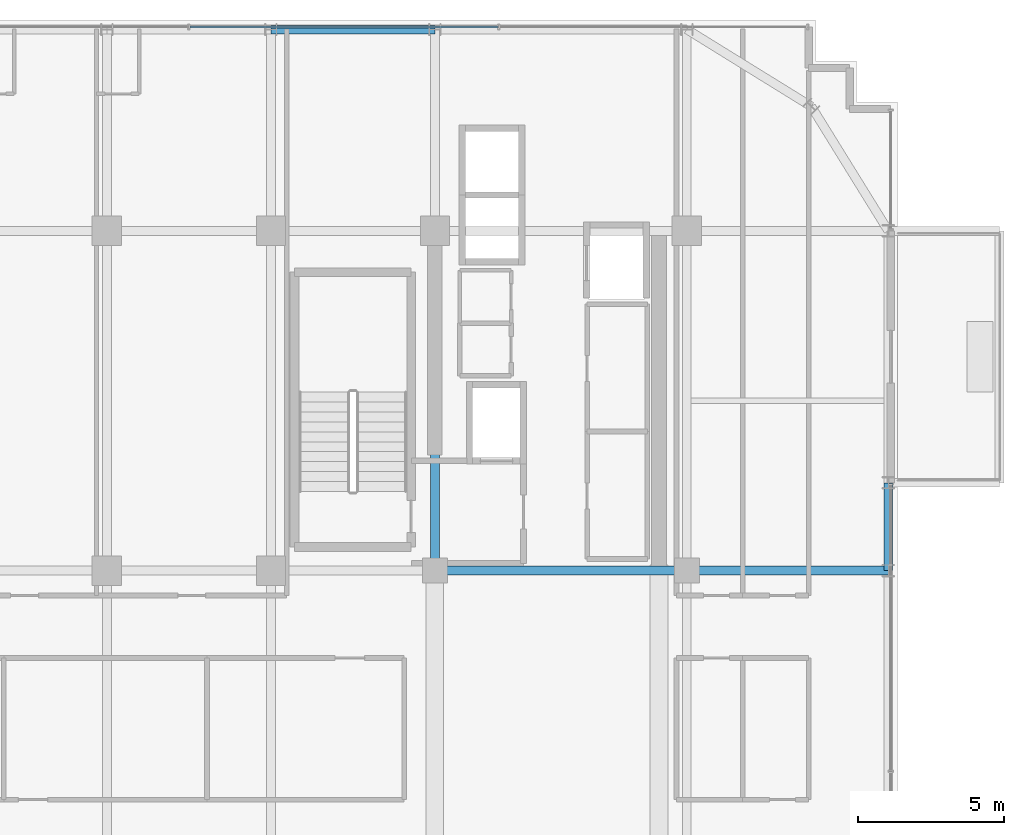
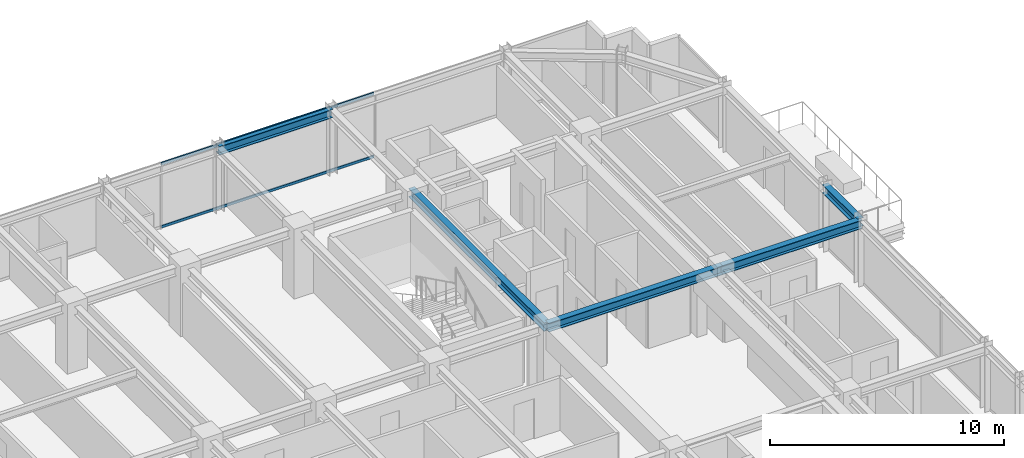
# One storey, part 22 of 34: 5 beams, 2 members, 1 element without a shape of its own.
"""IFC4 building model written with IfcOpenShell, lengths in metres."""

import ifcopenshell
import ifcopenshell.guid

model = None  # the IFC model being written
_history = None  # IfcOwnerHistory: only IFC2X3 demands one
_inside = {}  # id of a spatial element -> (the spatial element, [elements in it])
_under = {}  # id of a project, library or spatial element -> (it, [spatial elements below it])
_declared = {}  # id of a project -> (the project, [libraries it declares])
_typed = {}  # id of a type object -> (the type object, [elements of that type])
_made_of = {}  # id of a material, layer set ... -> (it, [elements and type objects made of it])


def new_model(schema):
    """Start an empty IFC model of exactly this schema.

    Asked for "IFC4X3", IfcOpenShell would pick the latest addendum, in which some entities
    have other attributes; the version numbers below select the first issue.
    IFC2X3 requires an IfcOwnerHistory on every rooted entity: one is made here for all.
    """
    global model, _history
    if schema == "IFC4X3":
        model = ifcopenshell.file(schema_version=(4, 3, 0, 0))
    else:
        model = ifcopenshell.file(schema=schema)
    _inside.clear()
    _under.clear()
    _declared.clear()
    _typed.clear()
    _made_of.clear()
    _history = None
    if model.schema == "IFC2X3":
        org = make("IfcOrganization", Name="unknown")
        user = make(
            "IfcPersonAndOrganization",
            ThePerson=make("IfcPerson", FamilyName="unknown"),
            TheOrganization=org,
        )
        app = make(
            "IfcApplication",
            ApplicationDeveloper=org,
            Version="unknown",
            ApplicationFullName="unknown",
            ApplicationIdentifier="unknown",
        )
        _history = make(
            "IfcOwnerHistory",
            OwningUser=user,
            OwningApplication=app,
            ChangeAction="ADDED",
            CreationDate=0,
        )
    return model


def make(cls, **values):
    """One entity of the class cls with the attributes given. An attribute that is None is left unset."""
    return model.create_entity(
        cls, **{name: value for name, value in values.items() if value is not None}
    )


def rooted(cls, **values):
    """An entity with a GlobalId (a new one), such as an element, a storey or a relation."""
    return make(cls, GlobalId=ifcopenshell.guid.new(), OwnerHistory=_history, **values)


def si_unit(unit_type, name, prefix=None):
    """IfcSIUnit, for example si_unit("LENGTHUNIT", "METRE", prefix="MILLI")."""
    return make("IfcSIUnit", UnitType=unit_type, Prefix=prefix, Name=name)


def assignment(units):
    """IfcUnitAssignment: the units of a project."""
    return None if units is None else make("IfcUnitAssignment", Units=units)


def point(xyz):
    """IfcCartesianPoint."""
    return None if xyz is None else make("IfcCartesianPoint", Coordinates=xyz)


def direction(xyz):
    """IfcDirection."""
    return None if xyz is None else make("IfcDirection", DirectionRatios=xyz)


def frame(location, z_axis=None, x_axis=None):
    """IfcAxis2Placement3D, a coordinate frame: its origin and axes. An axis left out is left unset."""
    return make(
        "IfcAxis2Placement3D",
        Location=point(location),
        Axis=direction(z_axis),
        RefDirection=direction(x_axis),
    )


def frame_2d(location, x_axis=None):
    """IfcAxis2Placement2D, a coordinate frame in the plane: its origin and x axis."""
    return make(
        "IfcAxis2Placement2D", Location=point(location), RefDirection=direction(x_axis)
    )


def origin():
    """The frame at (0, 0, 0) with its axes left unset."""
    return frame((0.0, 0.0, 0.0))


def origin_2d():
    """The frame at (0, 0) in the plane with its x axis left unset."""
    return frame_2d((0.0, 0.0))


def place(relative_to, where):
    """IfcLocalPlacement: puts the frame where relative to a parent placement (None: the world)."""
    return make(
        "IfcLocalPlacement", PlacementRelTo=relative_to, RelativePlacement=where
    )


def context(
    kind, dimensions, precision=None, world=None, true_north=None, identifier=None
):
    """IfcGeometricRepresentationContext, for example the 3D "Model" context."""
    return make(
        "IfcGeometricRepresentationContext",
        ContextIdentifier=identifier,
        ContextType=kind,
        CoordinateSpaceDimension=dimensions,
        Precision=precision,
        WorldCoordinateSystem=world,
        TrueNorth=true_north,
    )


def subcontext(parent, identifier, kind, view, scale=None):
    """IfcGeometricRepresentationSubContext, for example "Body" below "Model"."""
    return make(
        "IfcGeometricRepresentationSubContext",
        ContextIdentifier=identifier,
        ContextType=kind,
        ParentContext=parent,
        TargetScale=scale,
        TargetView=view,
    )


def project(units=None, contexts=None):
    """IfcProject with its units and contexts."""
    return rooted(
        "IfcProject",
        Name="project",
        RepresentationContexts=contexts,
        UnitsInContext=assignment(units),
    )


def spatial(cls, under=None, at=None, **own):
    """A site, building, storey or space (cls), placed at a placement, below another one or the project."""
    s = rooted(cls, ObjectPlacement=at, **own)
    if under is not None:
        _under.setdefault(under.id(), (under, []))[1].append(s)
    return s


def profile(cls, at=None, kind="AREA", **sizes):
    """A parametric profile (cls). Its sizes go by their IFC names, for example OverallWidth=200.0."""
    return make(cls, ProfileType=kind, Position=at, **sizes)


def hollow_rectangle(**sizes):
    """IfcRectangleHollowProfileDef."""
    return profile("IfcRectangleHollowProfileDef", **sizes)


def i_section(**sizes):
    """IfcIShapeProfileDef."""
    return profile("IfcIShapeProfileDef", **sizes)


def extrude(swept, where, along, depth):
    """IfcExtrudedAreaSolid: the profile swept, set in the frame where, extruded along a direction by depth."""
    return make(
        "IfcExtrudedAreaSolid",
        SweptArea=swept,
        Position=where,
        ExtrudedDirection=direction(along),
        Depth=depth,
    )


def shape(context_of_items, identifier, shape_type, items):
    """IfcShapeRepresentation: the items that make up one representation, for example the "Body"."""
    return make(
        "IfcShapeRepresentation",
        ContextOfItems=context_of_items,
        RepresentationIdentifier=identifier,
        RepresentationType=shape_type,
        Items=items,
    )


def source(mapping_origin, context_of_items, identifier, shape_type, items):
    """IfcRepresentationMap: a shape defined once, which mapped items show again and again."""
    return make(
        "IfcRepresentationMap",
        MappingOrigin=mapping_origin,
        MappedRepresentation=shape(context_of_items, identifier, shape_type, items),
    )


def transform(
    local_origin,
    x_axis=None,
    y_axis=None,
    z_axis=None,
    scale=None,
    scale2=None,
    scale3=None,
    uniform=True,
):
    """IfcCartesianTransformationOperator3D, or its non-uniform kind. x_axis, y_axis, z_axis: its Axis1, 2, 3."""
    if uniform:
        return make(
            "IfcCartesianTransformationOperator3D",
            Axis1=direction(x_axis),
            Axis2=direction(y_axis),
            LocalOrigin=point(local_origin),
            Scale=scale,
            Axis3=direction(z_axis),
        )
    return make(
        "IfcCartesianTransformationOperator3DnonUniform",
        Axis1=direction(x_axis),
        Axis2=direction(y_axis),
        LocalOrigin=point(local_origin),
        Scale=scale,
        Axis3=direction(z_axis),
        Scale2=scale2,
        Scale3=scale3,
    )


def mapped(mapping_source, mapping_target):
    """IfcMappedItem: shows the shape of a source again, moved by a transform."""
    return make(
        "IfcMappedItem", MappingSource=mapping_source, MappingTarget=mapping_target
    )


def material(Name=None, Category=None):
    """IfcMaterial."""
    return make("IfcMaterial", Name=Name, Category=Category)


def material_profile(
    of_material, cross_section, Name=None, Category=None, Priority=None
):
    """IfcMaterialProfile: a cross section and its material."""
    return make(
        "IfcMaterialProfile",
        Name=Name,
        Material=of_material,
        Profile=cross_section,
        Priority=Priority,
        Category=Category,
    )


def profile_set(profiles, Name=None, composite=None):
    """IfcMaterialProfileSet."""
    return make(
        "IfcMaterialProfileSet",
        Name=Name,
        MaterialProfiles=profiles,
        CompositeProfile=composite,
    )


def made_of(thing, what):
    """Note that an element or type object is made of a material, layer set ...; save() writes the relation."""
    if what is not None:
        _made_of.setdefault(what.id(), (what, []))[1].append(thing)
    return thing


def type_object(cls, material=None, **own):
    """A type object (cls), such as IfcWallType, which elements share."""
    return made_of(rooted(cls, **own), material)


def element(
    cls,
    number,
    at=None,
    inside=None,
    cuts=None,
    type_object=None,
    material=None,
    context=None,
    identifier="Body",
    shape_type=None,
    held_by="IfcProductDefinitionShape",
    body=None,
    shapes=None,
    **own,
):
    """One element of the class cls, such as IfcWall. Its Tag is "e" and its number.

    at: its placement. inside: the storey or other place that contains it. cuts: it is an
    opening in that element (IfcRelVoidsElement). A single representation is given by context,
    identifier, shape_type and body (its items); several are given by shapes. held_by: the class
    of the entity that holds the representations. save() writes the other relations.
    """
    e = rooted(cls, Tag="e%d" % number, ObjectPlacement=at, **own)
    if body is not None:
        shapes = [shape(context, identifier, shape_type, body)]
    if shapes is not None:
        e.Representation = make(held_by, Representations=shapes)
    if inside is not None:
        _inside.setdefault(inside.id(), (inside, []))[1].append(e)
    if cuts is not None:
        rooted(
            "IfcRelVoidsElement", RelatingBuildingElement=cuts, RelatedOpeningElement=e
        )
    if type_object is not None:
        _typed.setdefault(type_object.id(), (type_object, []))[1].append(e)
    return made_of(e, material)


def aggregate(whole, parts):
    """IfcRelAggregates: a whole, such as a stair, and the parts it consists of."""
    return rooted("IfcRelAggregates", RelatingObject=whole, RelatedObjects=parts)


def save(model, path):
    """Write the relations noted so far, then the file.

    IfcRelAggregates (storeys below a building ...), IfcRelContainedInSpatialStructure (elements
    in a storey), IfcRelDefinesByType, IfcRelAssociatesMaterial and IfcRelDeclares: one each for
    every whole, place, type object, material and project.
    """
    for whole, parts in _under.values():
        aggregate(whole, parts)
    for where, things in _inside.values():
        rooted(
            "IfcRelContainedInSpatialStructure",
            RelatedElements=things,
            RelatingStructure=where,
        )
    for kind, things in _typed.values():
        rooted("IfcRelDefinesByType", RelatedObjects=things, RelatingType=kind)
    for what, things in _made_of.values():
        rooted("IfcRelAssociatesMaterial", RelatedObjects=things, RelatingMaterial=what)
    for by, libraries in _declared.values():
        rooted("IfcRelDeclares", RelatingContext=by, RelatedDefinitions=libraries)
    model.write(path)


model = new_model("IFC4")

# Units and contexts
model_context = context("Model", 3, precision=1e-05, world=origin(), true_north=direction((0.0, 1.0)))
body_context = subcontext(model_context, "Body", "Model", "MODEL_VIEW")
ifc_project = project(units=[si_unit("LENGTHUNIT", "METRE"), si_unit("AREAUNIT", "SQUARE_METRE"), si_unit("VOLUMEUNIT", "CUBIC_METRE"), si_unit("PLANEANGLEUNIT", "RADIAN"), si_unit("MASSUNIT", "GRAM", prefix="KILO")], contexts=[model_context])

# Site, building, storey
site_placement = place(None, origin())
site = spatial("IfcSite", under=ifc_project, at=site_placement, CompositionType="ELEMENT")
building_placement = place(site_placement, origin())
building = spatial("IfcBuilding", under=site, at=building_placement, Name="Nahalor Promenade Grand Hotel", CompositionType="ELEMENT")
storey_placement = place(building_placement, frame((0.0, 0.0, 208.60009765625)))
storey = spatial("IfcBuildingStorey", under=building, at=storey_placement, Name="L53", CompositionType="ELEMENT", Elevation=208.60009765625)

# Beams
ifc_material_1 = material(Name="Steel S355JR", Category="steel")
ifc_material_profile_1 = material_profile(ifc_material_1, i_section(OverallWidth=0.3, OverallDepth=0.45, WebThickness=0.014, FlangeThickness=0.026, at=origin_2d()), Name="HEB 450")
ifc_profile_set_1 = profile_set([ifc_material_profile_1], Name="Steel S355JR")
beam_type_1 = type_object("IfcBeamType", Name="Beam-Spandrel-HEB450", PredefinedType="SPANDREL", material=ifc_profile_set_1)
shared_shape_1 = source(origin(), body_context, "Body", "SweptSolid", [
    extrude(i_section(OverallWidth=0.3, OverallDepth=0.45, WebThickness=0.014, FlangeThickness=0.026, at=origin_2d()), origin(), (0.0, 0.0, 1.0), 5.599853515625),
])
beam_1_placement = place(storey_placement, frame((2.800048828125, 23.8798828125, 3.184814453125), z_axis=(1.0, 0.0, 0.0), x_axis=(0.0, 1.0, 0.0)))
element("IfcBeam", 1, at=beam_1_placement, inside=storey, type_object=beam_type_1, Name="BM-L53-SP-N-3", PredefinedType="SPANDREL", context=body_context, shape_type="MappedRepresentation", body=[
    mapped(shared_shape_1, transform((0.0, 0.0, 0.0), scale=1.0)),
])
shared_shape_2 = source(origin(), body_context, "Body", "SweptSolid", [
    extrude(i_section(OverallWidth=0.3, OverallDepth=0.45, WebThickness=0.014, FlangeThickness=0.026, at=origin_2d()), origin(), (0.0, 0.0, 1.0), 3.0),
])
beam_2_placement = place(storey_placement, frame((23.8798828125, 5.39990234375, 3.184814453125), z_axis=(0.0, 1.0, 0.0), x_axis=(-1.0, 0.0, 0.0)))
element("IfcBeam", 2, at=beam_2_placement, inside=storey, type_object=beam_type_1, Name="BM-L53-SP-E-3", PredefinedType="SPANDREL", context=body_context, shape_type="MappedRepresentation", body=[
    mapped(shared_shape_2, transform((0.0, 0.0, 0.0), scale=1.0)),
])
ifc_material_profile_2 = material_profile(ifc_material_1, i_section(OverallWidth=0.3, OverallDepth=0.45, WebThickness=0.014, FlangeThickness=0.026, at=origin_2d()), Name="HEB 450")
ifc_profile_set_2 = profile_set([ifc_material_profile_2], Name="Steel S355JR")
beam_type_2 = type_object("IfcBeamType", Name="Beam-Girder-HEB450", PredefinedType="BEAM", material=ifc_profile_set_2)
shared_shape_3 = source(origin(), body_context, "Body", "SweptSolid", [
    extrude(i_section(OverallWidth=0.3, OverallDepth=0.45, WebThickness=0.014, FlangeThickness=0.026, at=origin_2d()), origin(), (0.0, 0.0, 1.0), 6.8798828125),
])
beam_3_placement = place(storey_placement, frame((17.0, 5.39990234375, 3.184814453125), z_axis=(1.0, 0.0, 0.0), x_axis=(0.0, 1.0, 0.0)))
element("IfcBeam", 3, at=beam_3_placement, inside=storey, type_object=beam_type_2, Name="BM-L53-GX-2-6", PredefinedType="BEAM", context=body_context, shape_type="MappedRepresentation", body=[
    mapped(shared_shape_3, transform((0.0, 0.0, 0.0), scale=1.0)),
])
shared_shape_4 = source(origin(), body_context, "Body", "SweptSolid", [
    extrude(i_section(OverallWidth=0.3, OverallDepth=0.45, WebThickness=0.014, FlangeThickness=0.026, at=origin_2d()), origin(), (0.0, 0.0, 1.0), 8.60009765625),
])
beam_4_placement = place(storey_placement, frame((8.39990234375, 5.39990234375, 3.184814453125), z_axis=(1.0, 0.0, 0.0), x_axis=(0.0, 1.0, 0.0)))
element("IfcBeam", 4, at=beam_4_placement, inside=storey, type_object=beam_type_2, Name="BM-L53-GX-2-5", PredefinedType="BEAM", context=body_context, shape_type="MappedRepresentation", body=[
    mapped(shared_shape_4, transform((0.0, 0.0, 0.0), scale=1.0)),
])
shared_shape_5 = source(origin(), body_context, "Body", "SweptSolid", [
    extrude(i_section(OverallWidth=0.3, OverallDepth=0.45, WebThickness=0.014, FlangeThickness=0.026, at=origin_2d()), origin(), (0.0, 0.0, 1.0), 11.60009765625),
])
beam_5_placement = place(storey_placement, frame((8.39990234375, 5.39990234375, 3.184814453125), z_axis=(0.0, 1.0, 0.0), x_axis=(-1.0, 0.0, 0.0)))
element("IfcBeam", 5, at=beam_5_placement, inside=storey, type_object=beam_type_2, Name="BM-L53-GY-4-3", PredefinedType="BEAM", context=body_context, shape_type="MappedRepresentation", body=[
    mapped(shared_shape_5, transform((0.0, 0.0, 0.0), scale=1.0)),
])

# Curtain wall, members
ifc_material_2 = material(Name="Anodised Bronze Aluminium EN AW-6063 T6", Category="aluminium")
curtain_wall_type = type_object("IfcCurtainWallType", Name="CW2 Typical Hotel Flush Bronze Unitised Curtain Wall", PredefinedType="USERDEFINED", material=ifc_material_2)
curtain_wall_placement = place(storey_placement, origin())
curtain_wall = element("IfcCurtainWall", 6, at=curtain_wall_placement, inside=storey, type_object=curtain_wall_type, Name="L53 Curtain Wall CW-L53-N-1", ObjectType="UNITISED_CURTAIN_WALL", PredefinedType="USERDEFINED")
ifc_material_profile_3 = material_profile(ifc_material_2, hollow_rectangle(XDim=0.065, YDim=0.13, WallThickness=0.004, at=origin_2d()), Name="CWT 65x130x4")
ifc_profile_set_3 = profile_set([ifc_material_profile_3], Name="Anodised Bronze Aluminium EN AW-6063 T6")
member_type = type_object("IfcMemberType", Name="CWT2 Typical Bronze Transom 65x130", PredefinedType="USERDEFINED", material=ifc_profile_set_3)
shared_shape_6 = source(origin(), body_context, "Body", "SweptSolid", [
    extrude(hollow_rectangle(XDim=0.065, YDim=0.13, WallThickness=0.004, at=origin_2d()), origin(), (0.0, 0.0, 1.0), 10.51513671875),
])
member_1_placement = place(storey_placement, frame((0.032470703125, 23.9599609375, 0.06494140625), z_axis=(1.0, 0.0, 0.0), x_axis=(0.0, 1.0, 0.0)))
member_1 = element("IfcMember", 7, at=member_1_placement, type_object=member_type, Name="CW-L53-N-1 Transom 2-0", ObjectType="TRANSOM", PredefinedType="USERDEFINED", context=body_context, shape_type="MappedRepresentation", body=[
    mapped(shared_shape_6, transform((0.0, 0.0, 0.0), scale=1.0)),
])
member_2_placement = place(storey_placement, frame((0.032470703125, 23.9599609375, 3.344970703125), z_axis=(1.0, 0.0, 0.0), x_axis=(0.0, 1.0, 0.0)))
member_2 = element("IfcMember", 8, at=member_2_placement, type_object=member_type, Name="CW-L53-N-1 Transom 2-1", ObjectType="TRANSOM", PredefinedType="USERDEFINED", context=body_context, shape_type="MappedRepresentation", body=[
    mapped(shared_shape_6, transform((0.0, 0.0, 0.0), scale=1.0)),
])
aggregate(curtain_wall, [member_1, member_2])

save(model, "model.ifc")
